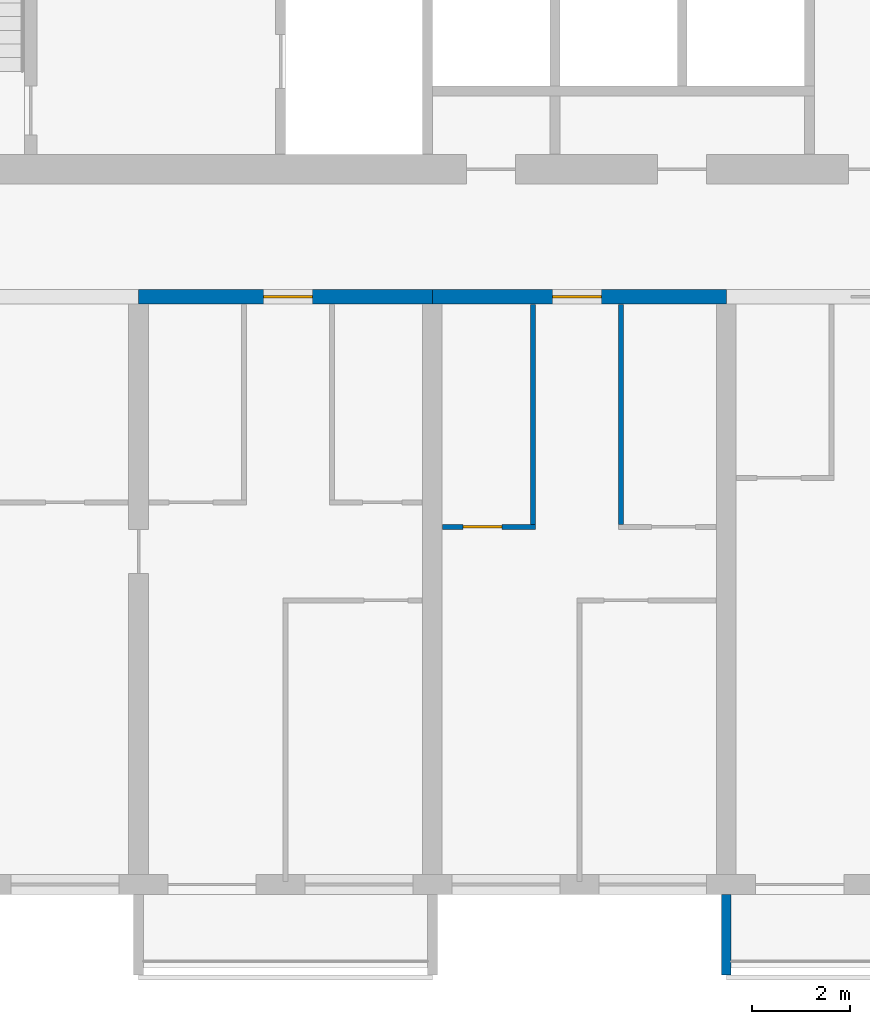
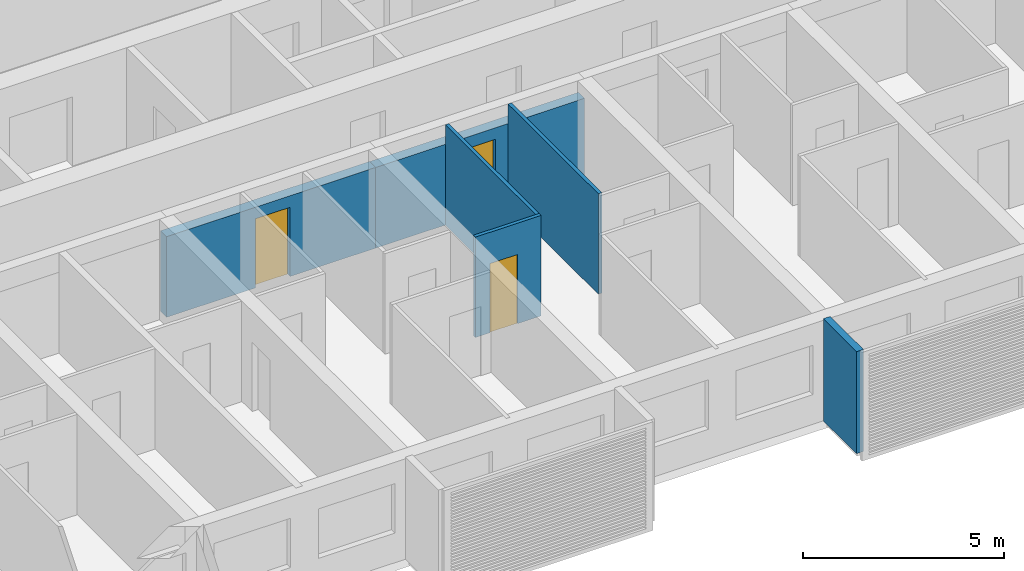
# One storey, part 4 of 23: 6 walls, 3 doors, 3 openings.
"""IFC4 building model written with IfcOpenShell, lengths in metres."""

from ifc_helpers import new_model, si_unit, direction, frame, frame_2d, origin, place, context, subcontext, project, spatial, polyline, rectangle, outline, extrude, source, transform, mapped, material, layer, layer_set, type_object, element, fill, save


model = new_model("IFC4")

# Units and contexts
model_context = context("Model", 3, precision=1e-05, world=origin(), true_north=direction((0.0, 1.0)))
body_context = subcontext(model_context, "Body", "Model", "MODEL_VIEW")
ifc_project = project(units=[si_unit("LENGTHUNIT", "METRE"), si_unit("AREAUNIT", "SQUARE_METRE"), si_unit("VOLUMEUNIT", "CUBIC_METRE"), si_unit("PLANEANGLEUNIT", "RADIAN"), si_unit("MASSUNIT", "GRAM", prefix="KILO")], contexts=[model_context])

# Site, building, storey
site_placement = place(None, origin())
site = spatial("IfcSite", under=ifc_project, at=site_placement, CompositionType="ELEMENT")
building_placement = place(site_placement, origin())
building = spatial("IfcBuilding", under=site, at=building_placement, Name="Poui Terraces", CompositionType="ELEMENT")
storey_placement = place(building_placement, frame((0.0, 0.0, 23.39990234375)))
storey = spatial("IfcBuildingStorey", under=building, at=storey_placement, Name="L05", CompositionType="ELEMENT", Elevation=23.39990234375)

# Wall, opening, door
ifc_material_1 = material(Name="Concrete 80 MPa", Category="concrete")
ifc_layer_1 = layer(ifc_material_1, 0.300048828125)
ifc_layer_set_1 = layer_set([ifc_layer_1], Name="Concrete 80 MPa")
wall_type_1 = type_object("IfcWallType", Name="CORRIDOR WALL 300 80MPa", PredefinedType="SHEAR", material=ifc_layer_set_1)
wall_1_placement = place(storey_placement, frame((36.0, 12.0, 0.0), z_axis=(0.0, 0.0, 1.0), x_axis=(1.0, 0.0, 0.0)))
wall_1 = element("IfcWall", 1, at=wall_1_placement, inside=storey, type_object=wall_type_1, Name="CORRIDOR WALL LINE B BAY 7", PredefinedType="SHEAR", context=body_context, shape_type="SweptSolid", body=[
    extrude(rectangle(XDim=6.0, YDim=0.300048828125, at=frame_2d((3.0, 0.0))), origin(), (0.0, 0.0, 1.0), 2.4501953125),
])
opening_1_placement = place(wall_1_placement, frame((2.550048828125, 0.0, 0.0)))
opening_1 = element("IfcOpeningElement", 2, at=opening_1_placement, cuts=wall_1, Name="Opening FD30S", PredefinedType="OPENING", context=body_context, shape_type="SweptSolid", body=[
    extrude(rectangle(XDim=1.0, YDim=2.10009765625, at=frame_2d((0.5, 1.050048828125))), frame((0.0, 0.16015625, 0.0), z_axis=(0.0, -1.0, 0.0), x_axis=(1.0, 0.0, 0.0)), (0.0, 0.0, 1.0), 0.320068359375),
])
ifc_material_2 = material(Name="Steel fire door", Category="steel")
door_type_1 = type_object("IfcDoorType", Name="FLAT ENTRANCE DOOR 1000 X 2100", OperationType="NOTDEFINED", PredefinedType="DOOR", material=ifc_material_2)
door_1_placement = place(opening_1_placement, frame((1.0, 0.0, 0.0), z_axis=(0.0, 0.0, 1.0), x_axis=(-1.0, 0.0, 0.0)))
door_1 = element("IfcDoor", 3, at=door_1_placement, inside=storey, type_object=door_type_1, Name="FLAT ENTRANCE DOOR 114", OperationType="SINGLE_SWING_LEFT", OverallHeight=2.10009765625, OverallWidth=1.0, PredefinedType="DOOR", context=body_context, shape_type="SweptSolid", body=[
    extrude(rectangle(XDim=1.0, YDim=2.10009765625, at=frame_2d((0.5, 1.050048828125))), frame((0.0, 0.02490234375, 0.0), z_axis=(0.0, -1.0, 0.0), x_axis=(1.0, 0.0, 0.0)), (0.0, 0.0, 1.0), 0.050048828125),
])
fill(opening_1, door_1)

wall_2_placement = place(storey_placement, frame((42.0, 12.0, 0.0), z_axis=(0.0, 0.0, 1.0), x_axis=(1.0, 0.0, 0.0)))
wall_2 = element("IfcWall", 4, at=wall_2_placement, inside=storey, type_object=wall_type_1, Name="CORRIDOR WALL LINE B BAY 8", PredefinedType="SHEAR", context=body_context, shape_type="SweptSolid", body=[
    extrude(rectangle(XDim=6.0, YDim=0.300048828125, at=frame_2d((3.0, 0.0))), origin(), (0.0, 0.0, 1.0), 2.4501953125),
])
opening_2_placement = place(wall_2_placement, frame((2.449951171875, 0.0, 0.0)))
opening_2 = element("IfcOpeningElement", 5, at=opening_2_placement, cuts=wall_2, Name="Opening FD30S", PredefinedType="OPENING", context=body_context, shape_type="SweptSolid", body=[
    extrude(rectangle(XDim=1.0, YDim=2.10009765625, at=frame_2d((0.5, 1.050048828125))), frame((0.0, 0.16015625, 0.0), z_axis=(0.0, -1.0, 0.0), x_axis=(1.0, 0.0, 0.0)), (0.0, 0.0, 1.0), 0.320068359375),
])
door_2_placement = place(opening_2_placement, frame((1.0, 0.0, 0.0), z_axis=(0.0, 0.0, 1.0), x_axis=(-1.0, 0.0, 0.0)))
door_2 = element("IfcDoor", 6, at=door_2_placement, inside=storey, type_object=door_type_1, Name="FLAT ENTRANCE DOOR 118", OperationType="SINGLE_SWING_RIGHT", OverallHeight=2.10009765625, OverallWidth=1.0, PredefinedType="DOOR", context=body_context, shape_type="SweptSolid", body=[
    extrude(rectangle(XDim=1.0, YDim=2.10009765625, at=frame_2d((0.5, 1.050048828125))), frame((0.0, 0.02490234375, 0.0), z_axis=(0.0, -1.0, 0.0), x_axis=(1.0, 0.0, 0.0)), (0.0, 0.0, 1.0), 0.050048828125),
])
fill(opening_2, door_2)

ifc_material_3 = material(Name="Plasterboard partition")
ifc_layer_2 = layer(ifc_material_3, 0.10009765625)
ifc_layer_set_2 = layer_set([ifc_layer_2], Name="Plasterboard partition")
wall_type_2 = type_object("IfcWallType", Name="FLAT PARTITION 100", PredefinedType="PARTITIONING", material=ifc_layer_set_2)
wall_3_placement = place(storey_placement, frame((42.2099609375, 7.300048828125, 0.0), z_axis=(0.0, 0.0, 1.0), x_axis=(1.0, 0.0, 0.0)))
wall_3 = element("IfcWall", 7, at=wall_3_placement, inside=storey, type_object=wall_type_2, Name="FLAT PARTITION 100", PredefinedType="PARTITIONING", context=body_context, shape_type="SweptSolid", body=[
    extrude(rectangle(XDim=1.89013671875, YDim=0.10009765625, at=frame_2d((0.945068359375, 0.0))), origin(), (0.0, 0.0, 1.0), 3.050048828125),
])
opening_3_placement = place(wall_3_placement, frame((0.4150390625, 0.0, 0.0)))
opening_3 = element("IfcOpeningElement", 8, at=opening_3_placement, cuts=wall_3, Name="Opening D80", PredefinedType="OPENING", context=body_context, shape_type="SweptSolid", body=[
    extrude(rectangle(XDim=0.800048828125, YDim=2.10009765625, at=frame_2d((0.39990234375, 1.050048828125))), frame((0.0, 0.06005859375, 0.0), z_axis=(0.0, -1.0, 0.0), x_axis=(1.0, 0.0, 0.0)), (0.0, 0.0, 1.0), 0.1201171875),
])
ifc_material_4 = material(Name="Solid core timber door", Category="wood")
door_type_2 = type_object("IfcDoorType", Name="BATHROOM, LAUNDRY AND STORE DOOR 800 X 2100", OperationType="NOTDEFINED", PredefinedType="DOOR", material=ifc_material_4)
door_3_placement = place(opening_3_placement, origin())
door_3 = element("IfcDoor", 9, at=door_3_placement, inside=storey, type_object=door_type_2, Name="BATHROOM, LAUNDRY AND STORE DOOR 117", OperationType="SINGLE_SWING_RIGHT", OverallHeight=2.10009765625, OverallWidth=0.800048828125, PredefinedType="DOOR", context=body_context, shape_type="SweptSolid", body=[
    extrude(rectangle(XDim=0.800048828125, YDim=2.10009765625, at=frame_2d((0.39990234375, 1.050048828125))), frame((0.0, 0.02490234375, 0.0), z_axis=(0.0, -1.0, 0.0), x_axis=(1.0, 0.0, 0.0)), (0.0, 0.0, 1.0), 0.050048828125),
])
fill(opening_3, door_3)

# Walls
for number, where, z_axis, x_axis, name in (
    (10, (44.050048828125, 7.35009765625, 0.0), (0.0, 0.0, 1.0), (0.0, 1.0, 0.0), "FLAT PARTITION 100"),
    (11, (45.85009765625, 7.35009765625, 0.0), (0.0, 0.0, 1.0), (0.0, 1.0, 0.0), "FLAT PARTITION 100"),
):
    element("IfcWall", number, at=place(storey_placement, frame(where, z_axis=z_axis, x_axis=x_axis)), inside=storey, type_object=wall_type_2, Name=name, PredefinedType="PARTITIONING", context=body_context, shape_type="SweptSolid", body=[
        extrude(rectangle(XDim=4.489990234375, YDim=0.10009765625, at=frame_2d((2.2451171875, 0.0))), origin(), (0.0, 0.0, 1.0), 3.050048828125),
    ])
ifc_material_5 = material(Name="Precast concrete 40 MPa", Category="concrete")
ifc_layer_3 = layer(ifc_material_5, 0.199951171875)
ifc_layer_set_3 = layer_set([ifc_layer_3], Name="Precast concrete 40 MPa")
wall_type_3 = type_object("IfcWallType", Name="REAR FIN 200", PredefinedType="STANDARD", material=ifc_layer_set_3)
shared_shape = source(origin(), body_context, "Body", "SweptSolid", [
    extrude(outline(polyline([(0.0, 0.0), (0.2001953125, 0.0), (0.2001953125, 1.650146484375), (0.0, 1.650146484375), (0.0, 0.0)])), origin(), (0.0, 0.0, 1.0), 3.10009765625),
])
wall_4_placement = place(storey_placement, frame((47.89990234375, -1.85009765625, 0.0)))
element("IfcWall", 12, at=wall_4_placement, inside=storey, type_object=wall_type_3, Name="REAR FIN", PredefinedType="STANDARD", context=body_context, shape_type="MappedRepresentation", body=[
    mapped(shared_shape, transform((0.0, 0.0, 0.0))),
])

save(model, "model.ifc")
